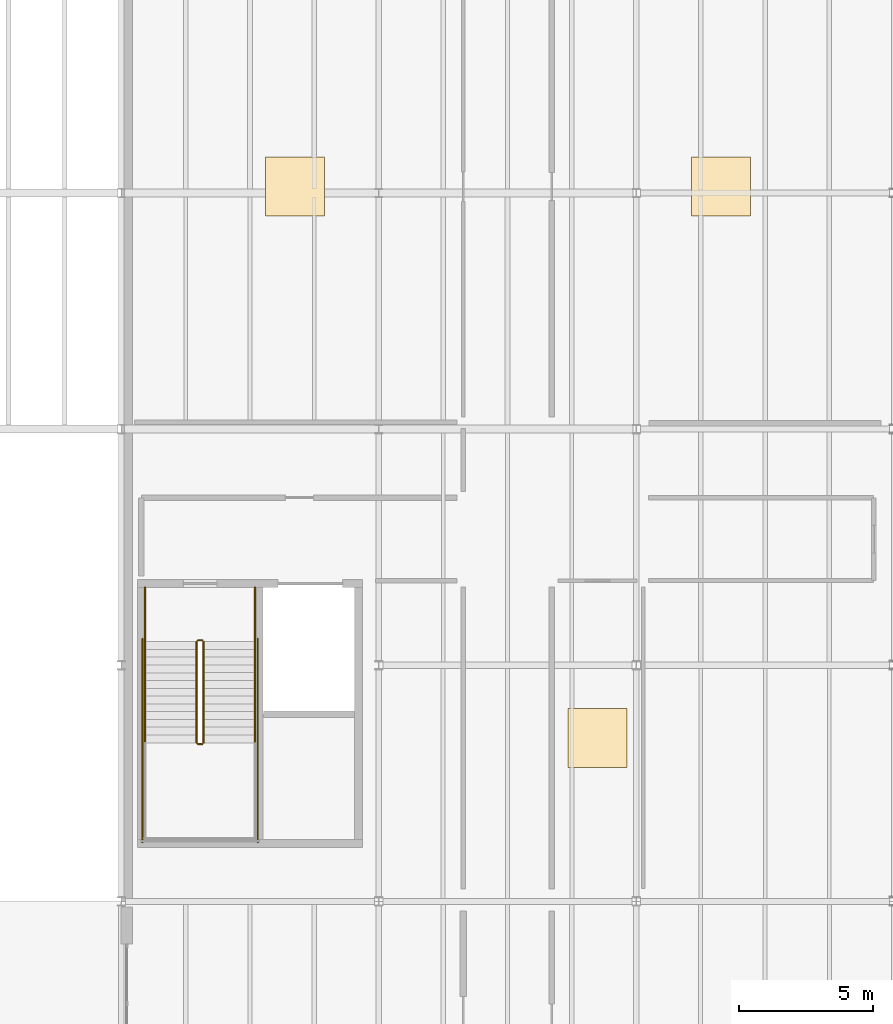
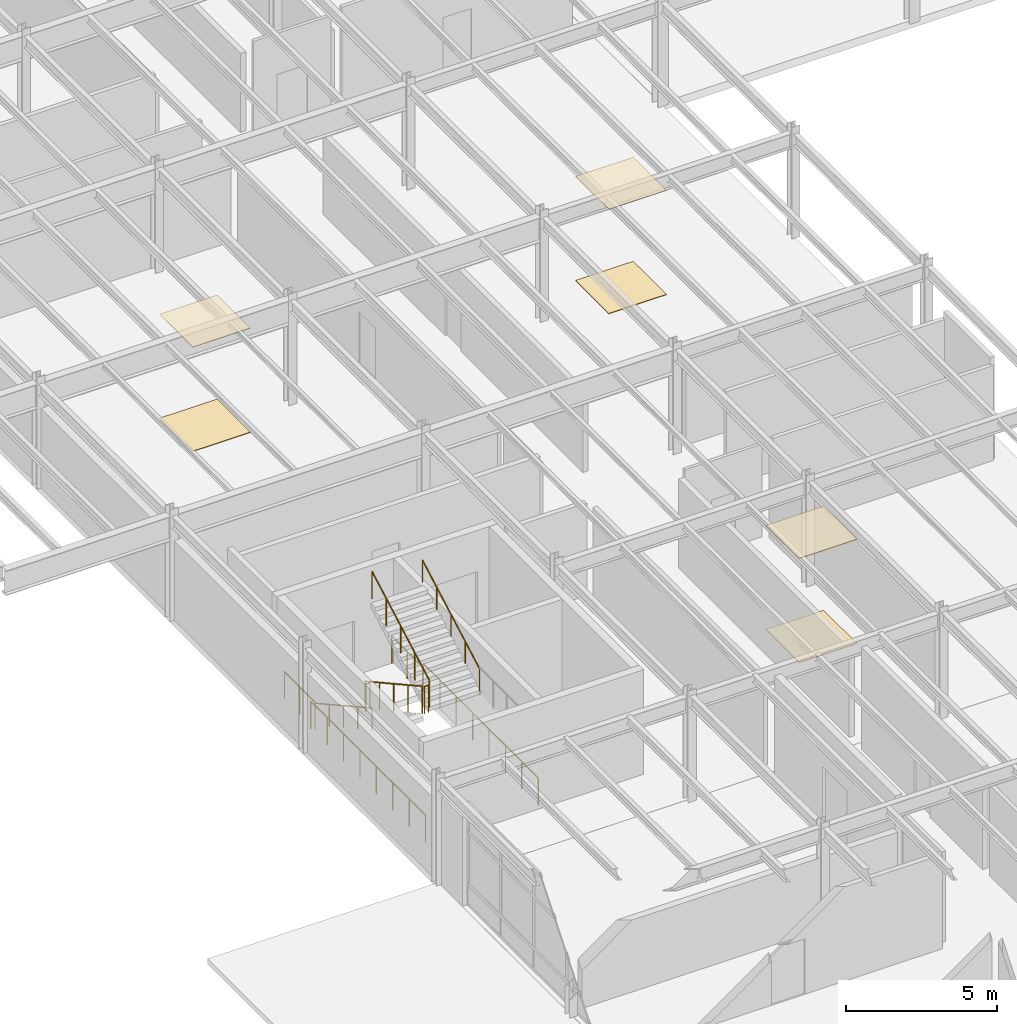
# One storey, part 66 of 77: 10 railings, 6 coverings.
"""IFC4 building model written with IfcOpenShell, lengths in metres."""

from ifc_helpers import new_model, si_unit, direction, frame, origin, origin_2d, place, context, subcontext, project, spatial, rectangle, circle, extrude, material, layer, layer_set, type_object, element, save


model = new_model("IFC4")

# Units and contexts
model_context = context("Model", 3, precision=1e-05, world=origin(), true_north=direction((0.0, 1.0)))
body_context = subcontext(model_context, "Body", "Model", "MODEL_VIEW")
ifc_project = project(units=[si_unit("LENGTHUNIT", "METRE"), si_unit("AREAUNIT", "SQUARE_METRE"), si_unit("VOLUMEUNIT", "CUBIC_METRE"), si_unit("PLANEANGLEUNIT", "RADIAN"), si_unit("MASSUNIT", "GRAM", prefix="KILO")], contexts=[model_context])

# Site, building, storey
site_placement = place(None, origin())
site = spatial("IfcSite", under=ifc_project, at=site_placement, CompositionType="ELEMENT")
building_placement = place(site_placement, origin())
building = spatial("IfcBuilding", under=site, at=building_placement, Name="Sarnbrook Museum", CompositionType="ELEMENT")
storey_placement = place(building_placement, frame((0.0, 0.0, 5.60009765625)))
storey = spatial("IfcBuildingStorey", under=building, at=storey_placement, Name="L01", CompositionType="ELEMENT", Elevation=5.60009765625)

# Coverings
ifc_material_1 = material(Name="Fire-Rated Acoustic Gypsum Plasterboard")
ifc_layer_1 = layer(ifc_material_1, 0.01806640625)
ifc_layer_set_1 = layer_set([ifc_layer_1], Name="Fire-Rated Acoustic Gypsum Plasterboard")
covering_type_1 = type_object("IfcCoveringType", Name="Ceil_Acoustic18", PredefinedType="CEILING", material=ifc_layer_set_1)
for number, where, z_axis, x_axis, name in (
    (1, (20.0849609375, 65.840087890625, 4.201904296875), (0.0, 0.0, 1.0), (1.0, 0.0, 0.0), "Acoustic Ceiling Baffle Panel L01-24"),
    (2, (35.9599609375, 65.840087890625, 4.201904296875), (0.0, 0.0, 1.0), (1.0, 0.0, 0.0), "Acoustic Ceiling Baffle Panel L01-26"),
):
    element("IfcCovering", number, at=place(storey_placement, frame(where, z_axis=z_axis, x_axis=x_axis)), inside=storey, type_object=covering_type_1, Name=name, PredefinedType="CEILING", context=body_context, shape_type="SweptSolid", body=[
        extrude(rectangle(XDim=2.199951171875, YDim=2.199951171875, at=origin_2d()), origin(), (0.0, 0.0, 1.0), 0.01806640625),
    ])
ifc_material_2 = material(Name="Tasmanian Oak Acoustic Timber", Category="wood")
ifc_layer_2 = layer(ifc_material_2, 0.02490234375)
ifc_layer_set_2 = layer_set([ifc_layer_2], Name="Tasmanian Oak Acoustic Timber")
covering_type_2 = type_object("IfcCoveringType", Name="Ceil_Timber25", PredefinedType="CEILING", material=ifc_layer_set_2)
covering_1_placement = place(storey_placement, frame((31.35498046875, 45.284912109375, 4.195068359375), z_axis=(0.0, 0.0, 1.0), x_axis=(1.0, 0.0, 0.0)))
element("IfcCovering", 3, at=covering_1_placement, inside=storey, type_object=covering_type_2, Name="Acoustic Ceiling Baffle Panel L01-25", PredefinedType="CEILING", context=body_context, shape_type="SweptSolid", body=[
    extrude(rectangle(XDim=2.199951171875, YDim=2.199951171875, at=origin_2d()), origin(), (0.0, 0.0, 1.0), 0.02490234375),
])
ifc_layer_3 = layer(ifc_material_2, 0.02197265625)
ifc_layer_set_3 = layer_set([ifc_layer_3], Name="Tasmanian Oak Acoustic Timber")
covering_type_3 = type_object("IfcCoveringType", Name="Floor_Oak22", PredefinedType="FLOORING", material=ifc_layer_set_3)
covering_2_placement = place(storey_placement, frame((31.35498046875, 45.284912109375, 0.0), z_axis=(0.0, 0.0, 1.0), x_axis=(1.0, 0.0, 0.0)))
element("IfcCovering", 4, at=covering_2_placement, inside=storey, type_object=covering_type_3, Name="Gallery Floor Finish Panel L01-25", PredefinedType="FLOORING", context=body_context, shape_type="SweptSolid", body=[
    extrude(rectangle(XDim=2.199951171875, YDim=2.199951171875, at=origin_2d()), origin(), (0.0, 0.0, 1.0), 0.02197265625),
])
ifc_material_3 = material(Name="Honed Bluestone and Marble Terrazzo Flooring", Category="masonry")
ifc_layer_4 = layer(ifc_material_3, 0.02001953125)
ifc_layer_set_4 = layer_set([ifc_layer_4], Name="Honed Bluestone and Marble Terrazzo Flooring")
covering_type_4 = type_object("IfcCoveringType", Name="Floor_Terrazzo20", PredefinedType="FLOORING", material=ifc_layer_set_4)
for number, where, z_axis, x_axis, name in (
    (5, (20.0849609375, 65.840087890625, 0.0), (0.0, 0.0, 1.0), (1.0, 0.0, 0.0), "Gallery Floor Finish Panel L01-24"),
    (6, (35.9599609375, 65.840087890625, 0.0), (0.0, 0.0, 1.0), (1.0, 0.0, 0.0), "Gallery Floor Finish Panel L01-26"),
):
    element("IfcCovering", number, at=place(storey_placement, frame(where, z_axis=z_axis, x_axis=x_axis)), inside=storey, type_object=covering_type_4, Name=name, PredefinedType="FLOORING", context=body_context, shape_type="SweptSolid", body=[
        extrude(rectangle(XDim=2.199951171875, YDim=2.199951171875, at=origin_2d()), origin(), (0.0, 0.0, 1.0), 0.02001953125),
    ])

# Railings
ifc_material_4 = material(Name="Brushed Stainless Steel Grade 316", Category="steel")
ifc_layer_5 = layer(ifc_material_4, 0.050048828125)
ifc_layer_set_5 = layer_set([ifc_layer_5], Name="Brushed Stainless Steel Grade 316")
railing_type_1 = type_object("IfcRailingType", Name="Guard_Int1120", PredefinedType="BALUSTRADE", material=ifc_layer_set_5)
railing_1_placement = place(storey_placement, frame((16.409912109375, 48.8798828125, 0.16064453125)))
element("IfcRailing", 7, at=railing_1_placement, inside=storey, type_object=railing_type_1, Name="L01 ST5 stair guard 1", PredefinedType="BALUSTRADE", context=body_context, shape_type="SweptSolid", body=[
    extrude(circle(Radius=0.02392578125, at=origin_2d()), frame((0.0, 0.0, 1.09619140625), z_axis=(0.0, -0.874645791573, 0.484762559697), x_axis=(1.0, 0.0, 0.0)), (0.0, 0.0, 1.0), 4.31005859375),
    extrude(circle(Radius=0.02099609375, at=origin_2d()), origin(), (0.0, 0.0, 1.0), 1.072021484375),
    extrude(circle(Radius=0.02099609375, at=origin_2d()), frame((0.0, -0.9423828125, 0.5224609375)), (0.0, 0.0, 1.0), 1.072021484375),
    extrude(circle(Radius=0.02099609375, at=origin_2d()), frame((0.0, -1.884765625, 1.044677734375)), (0.0, 0.0, 1.0), 1.072021484375),
    extrude(circle(Radius=0.02099609375, at=origin_2d()), frame((0.0, -2.827392578125, 1.56689453125)), (0.0, 0.0, 1.0), 1.072021484375),
    extrude(circle(Radius=0.02099609375, at=origin_2d()), frame((0.0, -3.769775390625, 2.08935546875)), (0.0, 0.0, 1.0), 1.072021484375),
])
railing_2_placement = place(storey_placement, frame((16.4599609375, 45.06005859375, 2.25)))
element("IfcRailing", 8, at=railing_2_placement, inside=storey, type_object=railing_type_1, Name="L01 ST5 stair guard 2", PredefinedType="BALUSTRADE", context=body_context, shape_type="SweptSolid", body=[
    extrude(circle(Radius=0.02392578125, at=origin_2d()), frame((0.0, 0.0, 1.09619140625), z_axis=(1.0, 0.0, 0.0), x_axis=(0.0, 1.0, 0.0)), (0.0, 0.0, 1.0), 0.16015625),
    extrude(circle(Radius=0.02099609375, at=origin_2d()), origin(), (0.0, 0.0, 1.0), 1.072021484375),
    extrude(circle(Radius=0.02099609375, at=origin_2d()), frame((0.16015625, 0.0, 0.0)), (0.0, 0.0, 1.0), 1.072021484375),
])
railing_3_placement = place(storey_placement, frame((16.669921875, 45.110107421875, 2.41064453125)))
element("IfcRailing", 9, at=railing_3_placement, inside=storey, type_object=railing_type_1, Name="L01 ST5 stair guard 6", PredefinedType="BALUSTRADE", context=body_context, shape_type="SweptSolid", body=[
    extrude(circle(Radius=0.02392578125, at=origin_2d()), frame((0.0, 0.0, 1.09619140625), z_axis=(0.0, 0.874645791573, 0.484762559697), x_axis=(-1.0, 0.0, 0.0)), (0.0, 0.0, 1.0), 4.31005859375),
    extrude(circle(Radius=0.02099609375, at=origin_2d()), origin(), (0.0, 0.0, 1.0), 1.072021484375),
    extrude(circle(Radius=0.02099609375, at=origin_2d()), frame((0.0, 0.9423828125, 0.5224609375)), (0.0, 0.0, 1.0), 1.072021484375),
    extrude(circle(Radius=0.02099609375, at=origin_2d()), frame((0.0, 1.884765625, 1.044677734375)), (0.0, 0.0, 1.0), 1.072021484375),
    extrude(circle(Radius=0.02099609375, at=origin_2d()), frame((0.0, 2.827392578125, 1.56689453125)), (0.0, 0.0, 1.0), 1.072021484375),
    extrude(circle(Radius=0.02099609375, at=origin_2d()), frame((0.0, 3.769775390625, 2.08935546875)), (0.0, 0.0, 1.0), 1.072021484375),
])
railing_4_placement = place(storey_placement, frame((16.4599609375, 48.929931640625, 0.0)))
element("IfcRailing", 10, at=railing_4_placement, inside=storey, type_object=railing_type_1, Name="L01 ST5 stair guard 7", PredefinedType="BALUSTRADE", context=body_context, shape_type="SweptSolid", body=[
    extrude(circle(Radius=0.02392578125, at=origin_2d()), frame((0.0, 0.0, 1.09619140625), z_axis=(1.0, 0.0, 0.0), x_axis=(0.0, 1.0, 0.0)), (0.0, 0.0, 1.0), 0.16015625),
    extrude(circle(Radius=0.02099609375, at=origin_2d()), origin(), (0.0, 0.0, 1.0), 1.072021484375),
    extrude(circle(Radius=0.02099609375, at=origin_2d()), frame((0.16015625, 0.0, 0.0)), (0.0, 0.0, 1.0), 1.072021484375),
])
for number, where, name in (
    (11, (14.489990234375, 50.89990234375, 0.0), "L01 ST5 stair guard 8"),
    (12, (18.590087890625, 50.89990234375, 0.0), "L01 ST5 stair guard 9"),
):
    element("IfcRailing", number, at=place(storey_placement, frame(where)), inside=storey, type_object=railing_type_1, Name=name, PredefinedType="BALUSTRADE", context=body_context, shape_type="SweptSolid", body=[
        extrude(circle(Radius=0.02392578125, at=origin_2d()), frame((0.0, 0.0, 1.09619140625), z_axis=(0.0, -1.0, 0.0), x_axis=(1.0, 0.0, 0.0)), (0.0, 0.0, 1.0), 2.02001953125),
        extrude(circle(Radius=0.02099609375, at=origin_2d()), origin(), (0.0, 0.0, 1.0), 1.072021484375),
        extrude(circle(Radius=0.02099609375, at=origin_2d()), frame((0.0, -1.010009765625, 0.0)), (0.0, 0.0, 1.0), 1.072021484375),
        extrude(circle(Radius=0.02099609375, at=origin_2d()), frame((0.0, -2.02001953125, 0.0)), (0.0, 0.0, 1.0), 1.072021484375),
    ])
for number, where, name in (
    (13, (14.389892578125, 48.97998046875, 0.0), "L01 ST5 stair guard 10"),
    (14, (18.68994140625, 48.97998046875, 0.0), "L01 ST5 stair guard 11"),
):
    element("IfcRailing", number, at=place(storey_placement, frame(where)), inside=storey, type_object=railing_type_1, Name=name, PredefinedType="BALUSTRADE", context=body_context, shape_type="SweptSolid", body=[
        extrude(circle(Radius=0.02392578125, at=origin_2d()), frame((0.0, 0.0, 1.09619140625), z_axis=(0.0, -1.0, 0.0), x_axis=(1.0, 0.0, 0.0)), (0.0, 0.0, 1.0), 7.580078125),
        extrude(circle(Radius=0.02099609375, at=origin_2d()), origin(), (0.0, 0.0, 1.0), 1.072021484375),
        extrude(circle(Radius=0.02099609375, at=origin_2d()), frame((0.0, -1.082763671875, 0.0)), (0.0, 0.0, 1.0), 1.072021484375),
        extrude(circle(Radius=0.02099609375, at=origin_2d()), frame((0.0, -2.165771484375, 0.0)), (0.0, 0.0, 1.0), 1.072021484375),
        extrude(circle(Radius=0.02099609375, at=origin_2d()), frame((0.0, -3.24853515625, 0.0)), (0.0, 0.0, 1.0), 1.072021484375),
        extrude(circle(Radius=0.02099609375, at=origin_2d()), frame((0.0, -4.33154296875, 0.0)), (0.0, 0.0, 1.0), 1.072021484375),
        extrude(circle(Radius=0.02099609375, at=origin_2d()), frame((0.0, -5.414306640625, 0.0)), (0.0, 0.0, 1.0), 1.072021484375),
        extrude(circle(Radius=0.02099609375, at=origin_2d()), frame((0.0, -6.497314453125, 0.0)), (0.0, 0.0, 1.0), 1.072021484375),
        extrude(circle(Radius=0.02099609375, at=origin_2d()), frame((0.0, -7.580078125, 0.0)), (0.0, 0.0, 1.0), 1.072021484375),
    ])
ifc_layer_6 = layer(ifc_material_4, 0.048095703125)
ifc_layer_set_6 = layer_set([ifc_layer_6], Name="Brushed Stainless Steel Grade 316")
railing_type_2 = type_object("IfcRailingType", Name="Handrail_920", PredefinedType="HANDRAIL", material=ifc_layer_set_6)
railing_5_placement = place(storey_placement, frame((14.489990234375, 48.8798828125, 0.16064453125)))
element("IfcRailing", 15, at=railing_5_placement, inside=storey, type_object=railing_type_2, Name="L01 ST5 stair handrail 1", PredefinedType="HANDRAIL", context=body_context, shape_type="SweptSolid", body=[
    extrude(circle(Radius=0.02392578125, at=origin_2d()), frame((0.0, 0.0, 0.8857421875), z_axis=(0.0, -0.874645791573, 0.484762559697), x_axis=(1.0, 0.0, 0.0)), (0.0, 0.0, 1.0), 4.31005859375),
    extrude(circle(Radius=0.02099609375, at=origin_2d()), origin(), (0.0, 0.0, 1.0), 0.86181640625),
    extrude(circle(Radius=0.02099609375, at=origin_2d()), frame((0.0, -0.9423828125, 0.5224609375)), (0.0, 0.0, 1.0), 0.86181640625),
    extrude(circle(Radius=0.02099609375, at=origin_2d()), frame((0.0, -1.884765625, 1.044677734375)), (0.0, 0.0, 1.0), 0.86181640625),
    extrude(circle(Radius=0.02099609375, at=origin_2d()), frame((0.0, -2.827392578125, 1.56689453125)), (0.0, 0.0, 1.0), 0.86181640625),
    extrude(circle(Radius=0.02099609375, at=origin_2d()), frame((0.0, -3.769775390625, 2.08935546875)), (0.0, 0.0, 1.0), 0.86181640625),
])
railing_6_placement = place(storey_placement, frame((18.590087890625, 45.110107421875, 2.41064453125)))
element("IfcRailing", 16, at=railing_6_placement, inside=storey, type_object=railing_type_2, Name="L01 ST5 stair handrail 2", PredefinedType="HANDRAIL", context=body_context, shape_type="SweptSolid", body=[
    extrude(circle(Radius=0.02392578125, at=origin_2d()), frame((0.0, 0.0, 0.8857421875), z_axis=(0.0, 0.874645791573, 0.484762559697), x_axis=(-1.0, 0.0, 0.0)), (0.0, 0.0, 1.0), 4.31005859375),
    extrude(circle(Radius=0.02099609375, at=origin_2d()), origin(), (0.0, 0.0, 1.0), 0.86181640625),
    extrude(circle(Radius=0.02099609375, at=origin_2d()), frame((0.0, 0.9423828125, 0.5224609375)), (0.0, 0.0, 1.0), 0.86181640625),
    extrude(circle(Radius=0.02099609375, at=origin_2d()), frame((0.0, 1.884765625, 1.044677734375)), (0.0, 0.0, 1.0), 0.86181640625),
    extrude(circle(Radius=0.02099609375, at=origin_2d()), frame((0.0, 2.827392578125, 1.56689453125)), (0.0, 0.0, 1.0), 0.86181640625),
    extrude(circle(Radius=0.02099609375, at=origin_2d()), frame((0.0, 3.769775390625, 2.08935546875)), (0.0, 0.0, 1.0), 0.86181640625),
])

save(model, "model.ifc")
